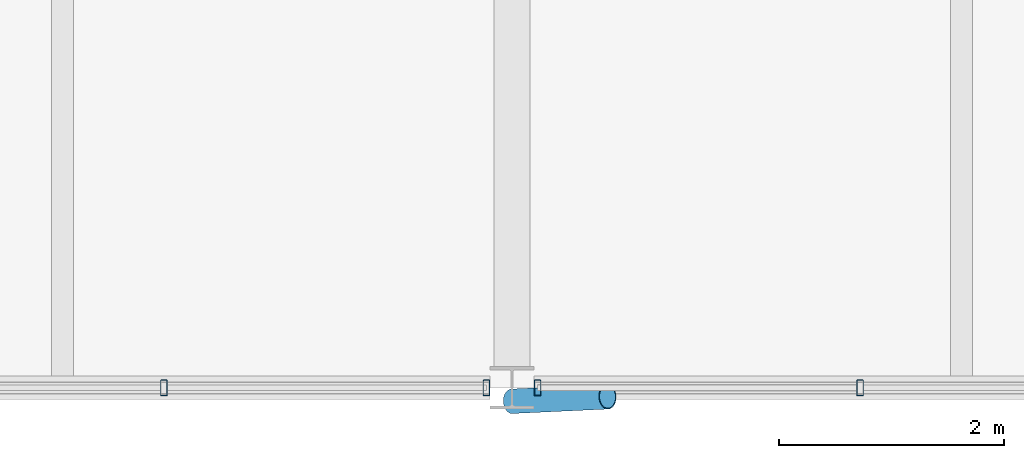
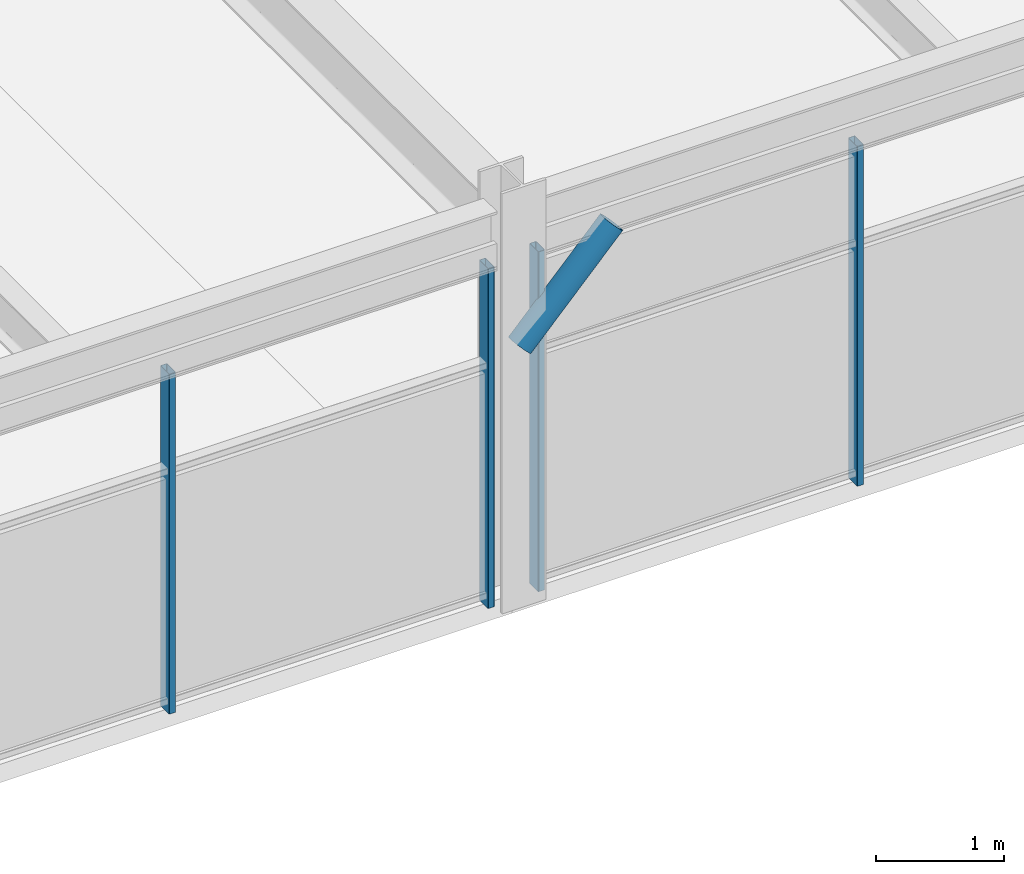
# One storey, part 30 of 52: 5 members, 2 elements without a shape of their own.
"""IFC4 building model written with IfcOpenShell, lengths in metres."""

from ifc_helpers import new_model, si_unit, direction, frame, origin, origin_2d, place, context, subcontext, project, spatial, hollow_rectangle, hollow_circle, extrude, material, material_profile, profile_set, type_object, element, aggregate, save


model = new_model("IFC4")

# Units and contexts
model_context = context("Model", 3, precision=1e-05, world=origin(), true_north=direction((0.0, 1.0)))
body_context = subcontext(model_context, "Body", "Model", "MODEL_VIEW")
ifc_project = project(units=[si_unit("LENGTHUNIT", "METRE"), si_unit("AREAUNIT", "SQUARE_METRE"), si_unit("VOLUMEUNIT", "CUBIC_METRE"), si_unit("PLANEANGLEUNIT", "RADIAN"), si_unit("MASSUNIT", "GRAM", prefix="KILO")], contexts=[model_context])

# Site, building, storey
site_placement = place(None, origin())
site = spatial("IfcSite", under=ifc_project, at=site_placement, CompositionType="ELEMENT")
building_placement = place(site_placement, origin())
building = spatial("IfcBuilding", under=site, at=building_placement, Name="Girod Span Mobility Hub", CompositionType="ELEMENT")
storey_placement = place(building_placement, frame((0.0, 0.0, 45.60009765625)))
storey = spatial("IfcBuildingStorey", under=building, at=storey_placement, Name="L11", CompositionType="ELEMENT", Elevation=45.60009765625)

# Curtain wall, members
ifc_material_1 = material(Name="Thermally Broken Anodised Aluminium", Category="aluminium")
curtain_wall_type = type_object("IfcCurtainWallType", Name="CW-1161X324", PredefinedType="USERDEFINED", material=ifc_material_1)
curtain_wall_1_placement = place(storey_placement, origin())
curtain_wall_1 = element("IfcCurtainWall", 1, at=curtain_wall_1_placement, inside=storey, type_object=curtain_wall_type, Name="Unitised Curtain Wall CW-L11-S09 L11", ObjectType="UNITISED CURTAIN WALL", PredefinedType="USERDEFINED")
ifc_material_2 = material(Name="Thermally Broken Anodised Aluminium", Category="aluminium")
ifc_material_profile_1 = material_profile(ifc_material_2, hollow_rectangle(XDim=0.139892578125, YDim=0.06005859375, WallThickness=0.00341796875, InnerFilletRadius=0.00341796875, OuterFilletRadius=0.007080078125, at=origin_2d()), Name="CW-ML-60X140")
ifc_profile_set_1 = profile_set([ifc_material_profile_1], Name="Thermally Broken Anodised Aluminium")
member_type_1 = type_object("IfcMemberType", Name="CWM-ML-4", PredefinedType="MULLION", material=ifc_profile_set_1)
member_1_placement = place(storey_placement, frame((104.902587890625, 27.0, 0.0), z_axis=(0.0, 0.0, 1.0), x_axis=(0.0, 1.0, 0.0)))
member_1 = element("IfcMember", 2, at=member_1_placement, type_object=member_type_1, Name="Curtain Wall Mullion CW-L11-S09-M3", PredefinedType="MULLION", context=body_context, shape_type="SweptSolid", body=[
    extrude(hollow_rectangle(XDim=0.139892578125, YDim=0.06005859375, WallThickness=0.00341796875, InnerFilletRadius=0.00341796875, OuterFilletRadius=0.007080078125, at=origin_2d()), origin(), (0.0, 0.0, 1.0), 3.23583984375),
])
member_2_placement = place(storey_placement, frame((107.77294921875, 27.0, 0.0), z_axis=(0.0, 0.0, 1.0), x_axis=(0.0, 1.0, 0.0)))
member_2 = element("IfcMember", 3, at=member_2_placement, type_object=member_type_1, Name="Curtain Wall Mullion CW-L11-S09-M4", PredefinedType="MULLION", context=body_context, shape_type="SweptSolid", body=[
    extrude(hollow_rectangle(XDim=0.139892578125, YDim=0.06005859375, WallThickness=0.00341796875, InnerFilletRadius=0.00341796875, OuterFilletRadius=0.007080078125, at=origin_2d()), origin(), (0.0, 0.0, 1.0), 3.23583984375),
])
aggregate(curtain_wall_1, [member_1, member_2])

curtain_wall_2_placement = place(storey_placement, origin())
curtain_wall_2 = element("IfcCurtainWall", 4, at=curtain_wall_2_placement, inside=storey, type_object=curtain_wall_type, Name="Unitised Curtain Wall CW-L11-S10 L11", ObjectType="UNITISED CURTAIN WALL", PredefinedType="USERDEFINED")
member_3_placement = place(storey_placement, frame((108.22705078125, 27.0, 0.0), z_axis=(0.0, 0.0, 1.0), x_axis=(0.0, 1.0, 0.0)))
member_3 = element("IfcMember", 5, at=member_3_placement, type_object=member_type_1, Name="Curtain Wall Mullion CW-L11-S10-M0", PredefinedType="MULLION", context=body_context, shape_type="SweptSolid", body=[
    extrude(hollow_rectangle(XDim=0.139892578125, YDim=0.06005859375, WallThickness=0.00341796875, InnerFilletRadius=0.00341796875, OuterFilletRadius=0.007080078125, at=origin_2d()), origin(), (0.0, 0.0, 1.0), 3.23583984375),
])
member_4_placement = place(storey_placement, frame((111.097412109375, 27.0, 0.0), z_axis=(0.0, 0.0, 1.0), x_axis=(0.0, 1.0, 0.0)))
member_4 = element("IfcMember", 6, at=member_4_placement, type_object=member_type_1, Name="Curtain Wall Mullion CW-L11-S10-M1", PredefinedType="MULLION", context=body_context, shape_type="SweptSolid", body=[
    extrude(hollow_rectangle(XDim=0.139892578125, YDim=0.06005859375, WallThickness=0.00341796875, InnerFilletRadius=0.00341796875, OuterFilletRadius=0.007080078125, at=origin_2d()), origin(), (0.0, 0.0, 1.0), 3.23583984375),
])
aggregate(curtain_wall_2, [member_3, member_4])

# Member
ifc_material_3 = material(Name="Steel HSS A500 Grade C", Category="steel")
ifc_material_profile_2 = material_profile(ifc_material_3, hollow_circle(Radius=0.109619140625, WallThickness=0.0087890625, at=origin_2d()), Name="HSS219X9.5")
ifc_profile_set_2 = profile_set([ifc_material_profile_2], Name="Steel HSS A500 Grade C")
member_type_2 = type_object("IfcMemberType", Name="MB-ST-HSS219", PredefinedType="STRUT", material=ifc_profile_set_2)
member_5_placement = place(storey_placement, frame((108.0, 26.8798828125, 2.449951171875), z_axis=(0.706816330442, 0.033290602583, 0.706613338963), x_axis=(-0.047047213483, 0.998892666758, 0.0)))
element("IfcMember", 7, at=member_5_placement, inside=storey, type_object=member_type_2, Name="Solar Shading Knee Strut 10 L11", PredefinedType="STRUT", context=body_context, shape_type="SweptSolid", body=[
    extrude(hollow_circle(Radius=0.109619140625, WallThickness=0.0087890625, at=origin_2d()), origin(), (0.0, 0.0, 1.0), 1.20263671875),
])

save(model, "model.ifc")
